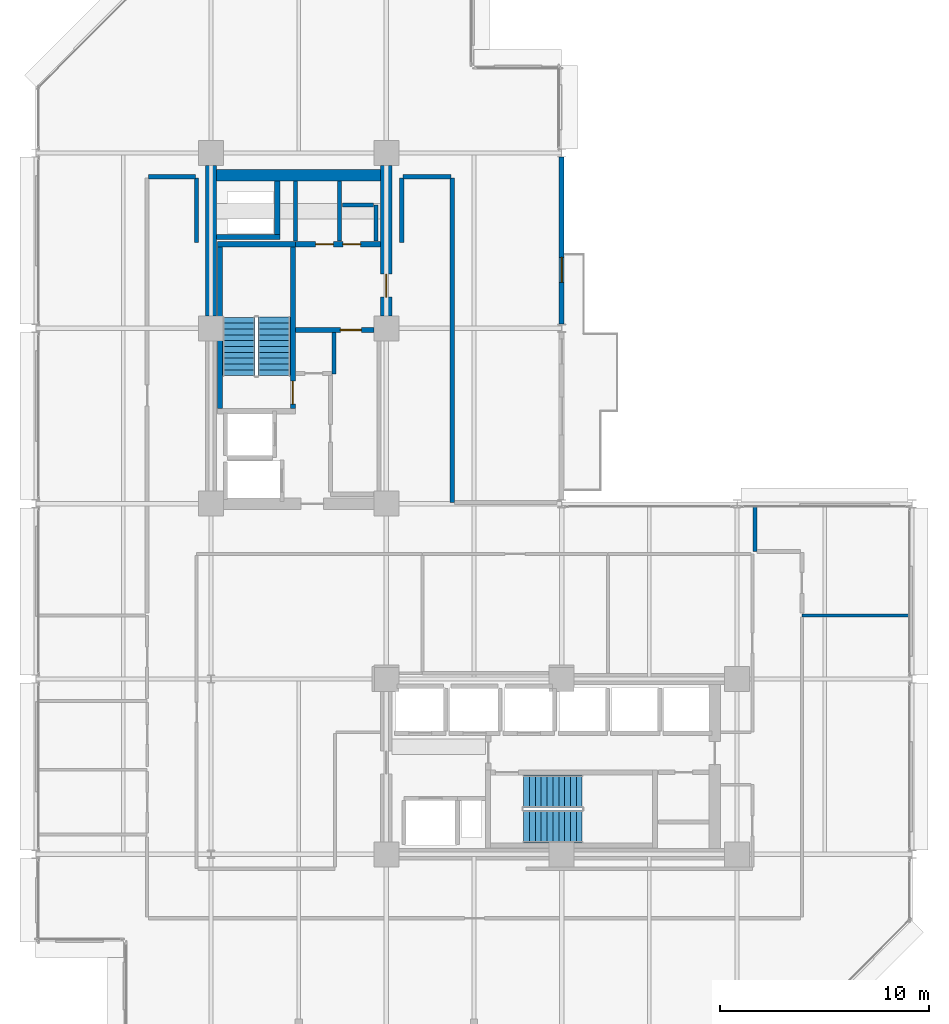
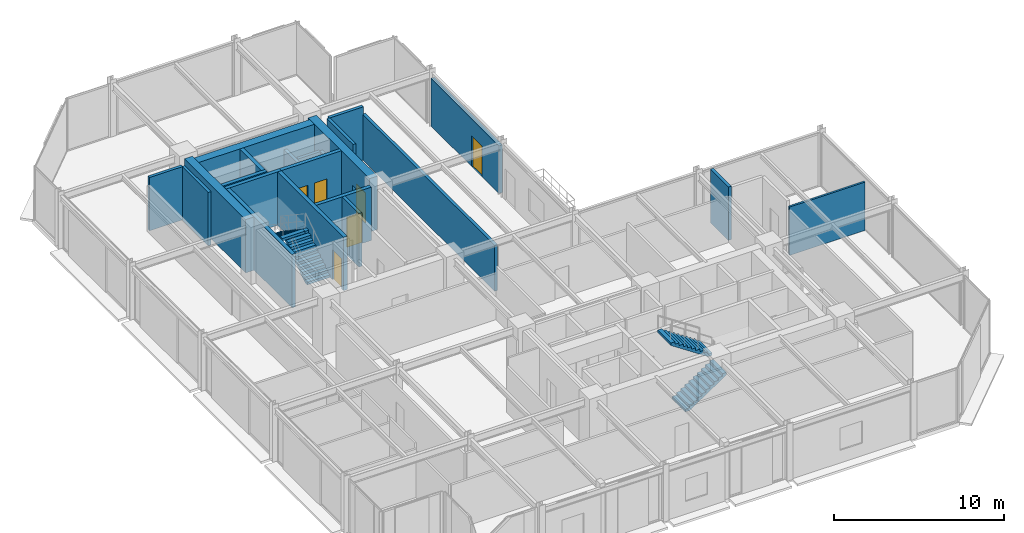
# One storey, part 26 of 30: 23 walls, 6 doors, 4 stair flights, 6 openings, 2 elements without a shape of their own.
"""IFC4 building model written with IfcOpenShell, lengths in metres."""

from ifc_helpers import new_model, si_unit, direction, frame, frame_2d, origin, place, context, subcontext, project, spatial, polyline, rectangle, outline, extrude, material, layer, layer_set, type_object, element, fill, aggregate, save


model = new_model("IFC4")

# Units and contexts
model_context = context("Model", 3, precision=1e-05, world=origin(), true_north=direction((0.0, 1.0)))
body_context = subcontext(model_context, "Body", "Model", "MODEL_VIEW")
ifc_project = project(units=[si_unit("LENGTHUNIT", "METRE"), si_unit("AREAUNIT", "SQUARE_METRE"), si_unit("VOLUMEUNIT", "CUBIC_METRE"), si_unit("PLANEANGLEUNIT", "RADIAN"), si_unit("MASSUNIT", "GRAM", prefix="KILO")], contexts=[model_context])

# Site, building, storey
site_placement = place(None, origin())
site = spatial("IfcSite", under=ifc_project, at=site_placement, CompositionType="ELEMENT")
building_placement = place(site_placement, origin())
building = spatial("IfcBuilding", under=site, at=building_placement, Name="Nerrivon Quay Data Exchange", CompositionType="ELEMENT")
storey_placement = place(building_placement, frame((0.0, 0.0, 141.800048828125)))
storey = spatial("IfcBuildingStorey", under=building, at=storey_placement, Name="L33", CompositionType="ELEMENT", Elevation=141.800048828125)

# Wall, opening, door
ifc_material_1 = material(Name="Architectural terracotta precast concrete N50 (50 MPa)", Category="masonry")
ifc_layer_1 = layer(ifc_material_1, 0.239990234375)
ifc_layer_set_1 = layer_set([ifc_layer_1], Name="Architectural terracotta precast concrete N50 (50 MPa)")
wall_type_1 = type_object("IfcWallType", Name="EW-PREC-240", PredefinedType="STANDARD", material=ifc_layer_set_1)
wall_1_placement = place(storey_placement, frame((25.199951171875, 41.800048828125, 0.0), z_axis=(0.0, 0.0, 1.0), x_axis=(0.0, -1.0, 0.0)))
wall_1 = element("IfcWall", 1, at=wall_1_placement, inside=storey, type_object=wall_type_1, Name="L33 Terrace Host Wall 24", PredefinedType="STANDARD", context=body_context, shape_type="SweptSolid", body=[
    extrude(rectangle(XDim=8.0, YDim=0.239990234375, at=frame_2d((4.0, 0.0))), origin(), (0.0, 0.0, 1.0), 3.421875),
])
opening_1_placement = place(wall_1_placement, frame((4.800048828125, 0.0, 0.0)))
opening_1 = element("IfcOpeningElement", 2, at=opening_1_placement, cuts=wall_1, Name="Opening TD1", PredefinedType="OPENING", context=body_context, shape_type="SweptSolid", body=[
    extrude(rectangle(XDim=1.199951171875, YDim=2.199951171875, at=frame_2d((0.60009765625, 1.10009765625))), frame((0.0, 0.1298828125, 0.0), z_axis=(0.0, -1.0, 0.0), x_axis=(1.0, 0.0, 0.0)), (0.0, 0.0, 1.0), 0.260009765625),
])
ifc_material_2 = material(Name="Double-glazed low-E solar control glass", Category="glass")
door_type_1 = type_object("IfcDoorType", Name="DR-TERR-1200x2200", OperationType="NOTDEFINED", PredefinedType="DOOR", material=ifc_material_2)
door_1_placement = place(opening_1_placement, origin())
door_1 = element("IfcDoor", 3, at=door_1_placement, inside=storey, type_object=door_type_1, Name="L33 Outdoor Terrace Access Door 24", OperationType="SINGLE_SWING_LEFT", OverallHeight=2.199951171875, OverallWidth=1.199951171875, PredefinedType="DOOR", context=body_context, shape_type="SweptSolid", body=[
    extrude(rectangle(XDim=1.199951171875, YDim=2.199951171875, at=frame_2d((0.60009765625, 1.10009765625))), frame((0.0, 0.02490234375, 0.0), z_axis=(0.0, -1.0, 0.0), x_axis=(1.0, 0.0, 0.0)), (0.0, 0.0, 1.0), 0.050048828125),
])
fill(opening_1, door_1)

# Walls
ifc_material_3 = material(Name="Concrete S65 (65 MPa)", Category="concrete")
ifc_layer_2 = layer(ifc_material_3, 0.550048828125)
ifc_layer_set_2 = layer_set([ifc_layer_2], Name="Concrete S65 (65 MPa)")
wall_type_2 = type_object("IfcWallType", Name="WALL-CW-700", PredefinedType="SHEAR", material=ifc_layer_set_2)
wall_2_placement = place(storey_placement, frame((8.39990234375, 34.199951171875, 0.0), z_axis=(0.0, 0.0, 1.0), x_axis=(0.0, 1.0, 0.0)))
element("IfcWall", 4, at=wall_2_placement, inside=storey, type_object=wall_type_2, Name="L33 West Split-Core Shear Wall WCW-W2", PredefinedType="SHEAR", context=body_context, shape_type="SweptSolid", body=[
    extrude(rectangle(XDim=7.199951171875, YDim=0.550048828125, at=frame_2d((3.60009765625, 0.0))), origin(), (0.0, 0.0, 1.0), 3.824951171875),
])
wall_3_placement = place(storey_placement, frame((8.675048828125, 40.925048828125, 0.0), z_axis=(0.0, 0.0, 1.0), x_axis=(1.0, 0.0, 0.0)))
element("IfcWall", 5, at=wall_3_placement, inside=storey, type_object=wall_type_2, Name="L33 West Split-Core Shear Wall WCW-N1", PredefinedType="SHEAR", context=body_context, shape_type="SweptSolid", body=[
    extrude(rectangle(XDim=7.849853515625, YDim=0.550048828125, at=frame_2d((3.9248046875, 0.0))), origin(), (0.0, 0.0, 1.0), 3.824951171875),
])

# Wall, opening, door
wall_4_placement = place(storey_placement, frame((16.800048828125, 34.199951171875, 0.0), z_axis=(0.0, 0.0, 1.0), x_axis=(0.0, 1.0, 0.0)))
wall_4 = element("IfcWall", 6, at=wall_4_placement, inside=storey, type_object=wall_type_2, Name="L33 West Split-Core Shear Wall WCW-E1", PredefinedType="SHEAR", context=body_context, shape_type="SweptSolid", body=[
    extrude(rectangle(XDim=7.199951171875, YDim=0.550048828125, at=frame_2d((3.60009765625, 0.0))), origin(), (0.0, 0.0, 1.0), 3.824951171875),
])
opening_2_placement = place(wall_4_placement, frame((0.89990234375, 0.0, 0.0)))
opening_2 = element("IfcOpeningElement", 7, at=opening_2_placement, cuts=wall_4, Name="Opening FD-120", PredefinedType="OPENING", context=body_context, shape_type="SweptSolid", body=[
    extrude(rectangle(XDim=1.10009765625, YDim=2.14990234375, at=frame_2d((0.550048828125, 1.074951171875))), frame((0.0, 0.284912109375, 0.0), z_axis=(0.0, -1.0, 0.0), x_axis=(1.0, 0.0, 0.0)), (0.0, 0.0, 1.0), 0.570068359375),
])
ifc_material_4 = material(Name="Powder-coated galvanized steel sheet", Category="steel")
door_type_2 = type_object("IfcDoorType", Name="DR-FD120-1100", OperationType="NOTDEFINED", PredefinedType="DOOR", material=ifc_material_4)
door_2_placement = place(opening_2_placement, origin())
door_2 = element("IfcDoor", 8, at=door_2_placement, inside=storey, type_object=door_type_2, Name="L33 West Core Lobby Fire Door", OperationType="SINGLE_SWING_LEFT", OverallHeight=2.14990234375, OverallWidth=1.10009765625, PredefinedType="DOOR", context=body_context, shape_type="SweptSolid", body=[
    extrude(rectangle(XDim=1.10009765625, YDim=2.14990234375, at=frame_2d((0.550048828125, 1.074951171875))), frame((0.0, 0.02490234375, 0.0), z_axis=(0.0, -1.0, 0.0), x_axis=(1.0, 0.0, 0.0)), (0.0, 0.0, 1.0), 0.050048828125),
])
fill(opening_2, door_2)

# Walls
ifc_material_5 = material(Name="Gypsum plasterboard on cold-formed framing", Category="gypsum")
ifc_layer_3 = layer(ifc_material_5, 0.199951171875)
ifc_layer_set_3 = layer_set([ifc_layer_3], Name="Gypsum plasterboard on cold-formed framing")
wall_type_3 = type_object("IfcWallType", Name="WALL-FW-200", PredefinedType="PARTITIONING", material=ifc_layer_set_3)
wall_5_placement = place(storey_placement, frame((14.300048828125, 33.39111328125, 0.0), z_axis=(0.0, 0.0, 1.0), x_axis=(0.0, -1.0, 0.0)))
element("IfcWall", 9, at=wall_5_placement, inside=storey, type_object=wall_type_3, Name="L33 Partition Core Equipment Store", PredefinedType="PARTITIONING", context=body_context, shape_type="SweptSolid", body=[
    extrude(rectangle(XDim=1.9912109375, YDim=0.199951171875, at=frame_2d((0.99560546875, 0.0))), origin(), (0.0, 0.0, 1.0), 3.824951171875),
])
for number, where, z_axis, x_axis, name in (
    (10, (14.550048828125, 37.780029296875, 0.0), (0.0, 0.0, 1.0), (0.0, 1.0, 0.0), "L33 Partition Electrical Switchboard Closet"),
    (11, (12.449951171875, 40.64599609375, 0.0), (0.0, 0.0, 1.0), (0.0, -1.0, 0.0), "L33 Partition Electrical Switchboard Closet"),
):
    element("IfcWall", number, at=place(storey_placement, frame(where, z_axis=z_axis, x_axis=x_axis)), inside=storey, type_object=wall_type_3, Name=name, PredefinedType="PARTITIONING", context=body_context, shape_type="SweptSolid", body=[
        extrude(rectangle(XDim=2.865966796875, YDim=0.199951171875, at=frame_2d((1.43310546875, 0.0))), origin(), (0.0, 0.0, 1.0), 2.724853515625),
    ])
wall_6_placement = place(storey_placement, frame((16.300048828125, 37.780029296875, 0.0), z_axis=(0.0, 0.0, 1.0), x_axis=(0.0, 1.0, 0.0)))
element("IfcWall", 12, at=wall_6_placement, inside=storey, type_object=wall_type_3, Name="L33 Partition Janitor Closet", PredefinedType="PARTITIONING", context=body_context, shape_type="SweptSolid", body=[
    extrude(rectangle(XDim=1.719970703125, YDim=0.199951171875, at=frame_2d((0.85986328125, 0.0))), origin(), (0.0, 0.0, 1.0), 2.724853515625),
])
wall_7_placement = place(storey_placement, frame((16.196044921875, 39.5, 0.0), z_axis=(0.0, 0.0, 1.0), x_axis=(-1.0, 0.0, 0.0)))
element("IfcWall", 13, at=wall_7_placement, inside=storey, type_object=wall_type_3, Name="L33 Partition Janitor Closet", PredefinedType="PARTITIONING", context=body_context, shape_type="SweptSolid", body=[
    extrude(rectangle(XDim=1.506103515625, YDim=0.199951171875, at=frame_2d((0.7529296875, 0.0))), origin(), (0.0, 0.0, 1.0), 2.724853515625),
])
wall_8_placement = place(storey_placement, frame((34.4599609375, 25.031005859375, 0.0), z_axis=(0.0, 0.0, 1.0), x_axis=(0.0, -1.0, 0.0)))
element("IfcWall", 14, at=wall_8_placement, inside=storey, type_object=wall_type_3, Name="L33 Partition Colocation Data Workspace 1", PredefinedType="PARTITIONING", context=body_context, shape_type="SweptSolid", body=[
    extrude(rectangle(XDim=2.12109375, YDim=0.199951171875, at=frame_2d((1.060546875, 0.0))), origin(), (0.0, 0.0, 1.0), 3.824951171875),
])
wall_9_placement = place(storey_placement, frame((5.39990234375, 40.860107421875, 0.0), z_axis=(0.0, 0.0, 1.0), x_axis=(1.0, 0.0, 0.0)))
element("IfcWall", 15, at=wall_9_placement, inside=storey, type_object=wall_type_3, Name="L33 Partition Colocation Data Workspace 1", PredefinedType="PARTITIONING", context=body_context, shape_type="SweptSolid", body=[
    extrude(rectangle(XDim=2.25, YDim=0.199951171875, at=frame_2d((1.125, 0.0))), origin(), (0.0, 0.0, 1.0), 3.824951171875),
])
for number, where, z_axis, x_axis, name in (
    (16, (7.7099609375, 40.800048828125, 0.0), (0.0, 0.0, 1.0), (0.0, -1.0, 0.0), "L33 Partition Colocation Data Workspace 1"),
    (17, (17.5400390625, 37.7099609375, 0.0), (0.0, 0.0, 1.0), (0.0, 1.0, 0.0), "L33 Partition Colocation Data Workspace 1"),
):
    element("IfcWall", number, at=place(storey_placement, frame(where, z_axis=z_axis, x_axis=x_axis)), inside=storey, type_object=wall_type_3, Name=name, PredefinedType="PARTITIONING", context=body_context, shape_type="SweptSolid", body=[
        extrude(rectangle(XDim=3.090087890625, YDim=0.199951171875, at=frame_2d((1.544921875, 0.0))), origin(), (0.0, 0.0, 1.0), 3.824951171875),
    ])
wall_10_placement = place(storey_placement, frame((17.60009765625, 40.860107421875, 0.0), z_axis=(0.0, 0.0, 1.0), x_axis=(1.0, 0.0, 0.0)))
element("IfcWall", 18, at=wall_10_placement, inside=storey, type_object=wall_type_3, Name="L33 Partition Colocation Data Workspace 1", PredefinedType="PARTITIONING", context=body_context, shape_type="SweptSolid", body=[
    extrude(rectangle(XDim=2.2998046875, YDim=0.199951171875, at=frame_2d((1.14990234375, 0.0))), origin(), (0.0, 0.0, 1.0), 3.824951171875),
])
wall_11_placement = place(storey_placement, frame((19.9599609375, 40.800048828125, 0.0), z_axis=(0.0, 0.0, 1.0), x_axis=(0.0, -1.0, 0.0)))
element("IfcWall", 19, at=wall_11_placement, inside=storey, type_object=wall_type_3, Name="L33 Partition Colocation Data Workspace 1", PredefinedType="PARTITIONING", context=body_context, shape_type="SweptSolid", body=[
    extrude(rectangle(XDim=15.5400390625, YDim=0.199951171875, at=frame_2d((7.77001953125, 0.0))), origin(), (0.0, 0.0, 1.0), 3.2919921875),
])
ifc_layer_4 = layer(ifc_material_5, 0.135009765625)
ifc_layer_set_4 = layer_set([ifc_layer_4], Name="Gypsum plasterboard on cold-formed framing")
wall_type_4 = type_object("IfcWallType", Name="WALL-PT-135", PredefinedType="PARTITIONING", material=ifc_layer_set_4)
wall_12_placement = place(storey_placement, frame((41.8310546875, 19.84326171875, 0.0), z_axis=(0.0, 0.0, 1.0), x_axis=(-1.0, 0.0, 0.0)))
element("IfcWall", 20, at=wall_12_placement, inside=storey, type_object=wall_type_4, Name="L33 Partition Technical Library", PredefinedType="PARTITIONING", context=body_context, shape_type="SweptSolid", body=[
    extrude(rectangle(XDim=5.12109375, YDim=0.135009765625, at=frame_2d((2.560546875, 0.0))), origin(), (0.0, 0.0, 1.0), 3.468994140625),
])
ifc_material_6 = material(Name="Concrete N50 (50 MPa)", Category="concrete")
ifc_layer_5 = layer(ifc_material_6, 0.25)
ifc_layer_set_5 = layer_set([ifc_layer_5], Name="Concrete N50 (50 MPa)")
wall_type_5 = type_object("IfcWallType", Name="WALL-SW-250", PredefinedType="SHEAR", material=ifc_layer_set_5)
wall_13_placement = place(storey_placement, frame((12.449951171875, 37.625, 0.0), z_axis=(0.0, 0.0, 1.0), x_axis=(-1.0, 0.0, 0.0)))
element("IfcWall", 21, at=wall_13_placement, inside=storey, type_object=wall_type_5, Name="L33 ST01 Structural Stair Core Wall FAR", PredefinedType="SHEAR", context=body_context, shape_type="SweptSolid", body=[
    extrude(rectangle(XDim=3.75, YDim=0.25, at=frame_2d((1.875, 0.0))), origin(), (0.0, 0.0, 1.0), 3.824951171875),
])

# Wall, opening, door
wall_14_placement = place(storey_placement, frame((12.324951171875, 29.75, 0.0), z_axis=(0.0, 0.0, 1.0), x_axis=(0.0, 1.0, 0.0)))
wall_14 = element("IfcWall", 22, at=wall_14_placement, inside=storey, type_object=wall_type_5, Name="L33 ST01 Structural Stair Core Wall LEFT", PredefinedType="SHEAR", context=body_context, shape_type="SweptSolid", body=[
    extrude(rectangle(XDim=7.75, YDim=0.25, at=frame_2d((3.875, 0.0))), origin(), (0.0, 0.0, 1.0), 3.824951171875),
])
opening_3_placement = place(wall_14_placement, frame((0.219970703125, 0.0, 0.0)))
opening_3 = element("IfcOpeningElement", 23, at=opening_3_placement, cuts=wall_14, Name="Opening FD-120", PredefinedType="OPENING", context=body_context, shape_type="SweptSolid", body=[
    extrude(rectangle(XDim=1.10009765625, YDim=2.14990234375, at=frame_2d((0.550048828125, 1.074951171875))), frame((0.0, 0.135009765625, 0.0), z_axis=(0.0, -1.0, 0.0), x_axis=(1.0, 0.0, 0.0)), (0.0, 0.0, 1.0), 0.27001953125),
])
door_3_placement = place(opening_3_placement, origin())
door_3 = element("IfcDoor", 24, at=door_3_placement, inside=storey, type_object=door_type_2, Name="L33 Protected Stair Door ST01", OperationType="SINGLE_SWING_LEFT", OverallHeight=2.14990234375, OverallWidth=1.10009765625, PredefinedType="DOOR", context=body_context, shape_type="SweptSolid", body=[
    extrude(rectangle(XDim=1.10009765625, YDim=2.14990234375, at=frame_2d((0.550048828125, 1.074951171875))), frame((0.0, 0.02490234375, 0.0), z_axis=(0.0, -1.0, 0.0), x_axis=(1.0, 0.0, 0.0)), (0.0, 0.0, 1.0), 0.050048828125),
])
fill(opening_3, door_3)

# Walls
wall_15_placement = place(storey_placement, frame((8.824951171875, 29.75, 0.0), z_axis=(0.0, 0.0, 1.0), x_axis=(0.0, 1.0, 0.0)))
element("IfcWall", 25, at=wall_15_placement, inside=storey, type_object=wall_type_5, Name="L33 ST01 Structural Stair Core Wall RIGHT", PredefinedType="SHEAR", context=body_context, shape_type="SweptSolid", body=[
    extrude(rectangle(XDim=7.75, YDim=0.25, at=frame_2d((3.875, 0.0))), origin(), (0.0, 0.0, 1.0), 3.824951171875),
])
wall_16_placement = place(storey_placement, frame((8.675048828125, 37.97509765625, 0.0), z_axis=(0.0, 0.0, 1.0), x_axis=(1.0, 0.0, 0.0)))
element("IfcWall", 26, at=wall_16_placement, inside=storey, type_object=wall_type_5, Name="L33 West Core MEP Riser Shaft Wall S", PredefinedType="SHEAR", context=body_context, shape_type="SweptSolid", body=[
    extrude(rectangle(XDim=3.02490234375, YDim=0.25, at=frame_2d((1.512451171875, 0.0))), origin(), (0.0, 0.0, 1.0), 3.824951171875),
])
wall_17_placement = place(storey_placement, frame((11.574951171875, 38.10009765625, 0.0), z_axis=(0.0, 0.0, 1.0), x_axis=(0.0, 1.0, 0.0)))
element("IfcWall", 27, at=wall_17_placement, inside=storey, type_object=wall_type_5, Name="L33 West Core MEP Riser Shaft Wall E", PredefinedType="SHEAR", context=body_context, shape_type="SweptSolid", body=[
    extrude(rectangle(XDim=2.5498046875, YDim=0.25, at=frame_2d((1.27490234375, 0.0))), origin(), (0.0, 0.0, 1.0), 3.824951171875),
])

# Wall, opening, door
wall_18_placement = place(storey_placement, frame((12.449951171875, 33.52001953125, 0.0), z_axis=(0.0, 0.0, 1.0), x_axis=(1.0, 0.0, 0.0)))
wall_18 = element("IfcWall", 28, at=wall_18_placement, inside=storey, type_object=wall_type_5, Name="L33 West Lobby Smoke-Stop Wall", PredefinedType="SHEAR", context=body_context, shape_type="SweptSolid", body=[
    extrude(rectangle(XDim=3.75, YDim=0.25, at=frame_2d((1.875, 0.0))), origin(), (0.0, 0.0, 1.0), 3.824951171875),
])
opening_4_placement = place(wall_18_placement, frame((2.14990234375, 0.0, 0.0)))
opening_4 = element("IfcOpeningElement", 29, at=opening_4_placement, cuts=wall_18, Name="Opening FD-60", PredefinedType="OPENING", context=body_context, shape_type="SweptSolid", body=[
    extrude(rectangle(XDim=1.0, YDim=2.14990234375, at=frame_2d((0.5, 1.074951171875))), frame((0.0, 0.135009765625, 0.0), z_axis=(0.0, -1.0, 0.0), x_axis=(1.0, 0.0, 0.0)), (0.0, 0.0, 1.0), 0.27001953125),
])
ifc_material_7 = material(Name="Engineered hardwood timber", Category="wood")
door_type_3 = type_object("IfcDoorType", Name="DR-FD60-1000", OperationType="NOTDEFINED", PredefinedType="DOOR", material=ifc_material_7)
door_4_placement = place(opening_4_placement, origin())
door_4 = element("IfcDoor", 30, at=door_4_placement, inside=storey, type_object=door_type_3, Name="L33 West Firefighting Lobby Fire Door", OperationType="SINGLE_SWING_LEFT", OverallHeight=2.14990234375, OverallWidth=1.0, PredefinedType="DOOR", context=body_context, shape_type="SweptSolid", body=[
    extrude(rectangle(XDim=1.0, YDim=2.14990234375, at=frame_2d((0.5, 1.074951171875))), frame((0.0, 0.02490234375, 0.0), z_axis=(0.0, -1.0, 0.0), x_axis=(1.0, 0.0, 0.0)), (0.0, 0.0, 1.0), 0.050048828125),
])
fill(opening_4, door_4)

# Wall, openings, doors
wall_19_placement = place(storey_placement, frame((12.449951171875, 37.625, 0.0), z_axis=(0.0, 0.0, 1.0), x_axis=(1.0, 0.0, 0.0)))
wall_19 = element("IfcWall", 31, at=wall_19_placement, inside=storey, type_object=wall_type_5, Name="L33 West Firefighting Lobby Wall", PredefinedType="SHEAR", context=body_context, shape_type="SweptSolid", body=[
    extrude(rectangle(XDim=4.074951171875, YDim=0.25, at=frame_2d((2.03759765625, 0.0))), origin(), (0.0, 0.0, 1.0), 3.824951171875),
])
opening_5_placement = place(wall_19_placement, frame((0.96044921875, 0.0, 0.0)))
opening_5 = element("IfcOpeningElement", 32, at=opening_5_placement, cuts=wall_19, Name="Opening FD-60S", PredefinedType="OPENING", context=body_context, shape_type="SweptSolid", body=[
    extrude(rectangle(XDim=0.85009765625, YDim=2.14990234375, at=frame_2d((0.425048828125, 1.074951171875))), frame((0.0, 0.135009765625, 0.0), z_axis=(0.0, -1.0, 0.0), x_axis=(1.0, 0.0, 0.0)), (0.0, 0.0, 1.0), 0.27001953125),
])
opening_6_placement = place(wall_19_placement, frame((2.264404296875, 0.0, 0.0)))
opening_6 = element("IfcOpeningElement", 33, at=opening_6_placement, cuts=wall_19, Name="Opening FD-60S", PredefinedType="OPENING", context=body_context, shape_type="SweptSolid", body=[
    extrude(rectangle(XDim=0.85009765625, YDim=2.14990234375, at=frame_2d((0.425048828125, 1.074951171875))), frame((0.0, 0.135009765625, 0.0), z_axis=(0.0, -1.0, 0.0), x_axis=(1.0, 0.0, 0.0)), (0.0, 0.0, 1.0), 0.27001953125),
])
door_type_4 = type_object("IfcDoorType", Name="DR-FD60-850", OperationType="NOTDEFINED", PredefinedType="DOOR", material=ifc_material_7)
door_5_placement = place(opening_5_placement, origin())
door_5 = element("IfcDoor", 34, at=door_5_placement, inside=storey, type_object=door_type_4, Name="L33 Door Electrical Switchboard Closet", OperationType="SINGLE_SWING_LEFT", OverallHeight=2.14990234375, OverallWidth=0.85009765625, PredefinedType="DOOR", context=body_context, shape_type="SweptSolid", body=[
    extrude(rectangle(XDim=0.85009765625, YDim=2.14990234375, at=frame_2d((0.425048828125, 1.074951171875))), frame((0.0, 0.02490234375, 0.0), z_axis=(0.0, -1.0, 0.0), x_axis=(1.0, 0.0, 0.0)), (0.0, 0.0, 1.0), 0.050048828125),
])
fill(opening_5, door_5)
door_6_placement = place(opening_6_placement, origin())
door_6 = element("IfcDoor", 35, at=door_6_placement, inside=storey, type_object=door_type_4, Name="L33 Door Janitor Closet", OperationType="SINGLE_SWING_RIGHT", OverallHeight=2.14990234375, OverallWidth=0.85009765625, PredefinedType="DOOR", context=body_context, shape_type="SweptSolid", body=[
    extrude(rectangle(XDim=0.85009765625, YDim=2.14990234375, at=frame_2d((0.425048828125, 1.074951171875))), frame((0.0, 0.02490234375, 0.0), z_axis=(0.0, -1.0, 0.0), x_axis=(1.0, 0.0, 0.0)), (0.0, 0.0, 1.0), 0.050048828125),
])
fill(opening_6, door_6)

# Stair, stair flights
stair_type = type_object("IfcStairType", Name="STAIR-DOG-41", PredefinedType="HALF_TURN_STAIR", material=ifc_material_6)
stair_1_placement = place(storey_placement, origin())
stair_1 = element("IfcStair", 36, at=stair_1_placement, inside=storey, type_object=stair_type, Name="L33 West Core Fire Stair ST01", PredefinedType="HALF_TURN_STAIR")
stair_flight_type = type_object("IfcStairFlightType", Name="FLIGHT-DOG-41", PredefinedType="STRAIGHT", material=ifc_material_6)
stair_flight_1_placement = place(storey_placement, frame((11.425048828125, 31.330078125, 0.0), z_axis=(0.0, 0.0, 1.0), x_axis=(0.0, 1.0, 0.0)))
stair_flight_1 = element("IfcStairFlight", 37, at=stair_flight_1_placement, type_object=stair_flight_type, Name="ST01 flight 1", NumberOfRisers=11, NumberOfTreads=10, PredefinedType="STRAIGHT", RiserHeight=0.186363636, TreadLength=0.28, context=body_context, shape_type="SweptSolid", body=[
    extrude(outline(polyline([(0.0, 0.0), (0.0, 0.186279296875), (0.280029296875, 0.186279296875), (0.280029296875, 0.372802734375), (0.56005859375, 0.372802734375), (0.56005859375, 0.55908203125), (0.840087890625, 0.55908203125), (0.840087890625, 0.745361328125), (1.1201171875, 0.745361328125), (1.1201171875, 0.931884765625), (1.39990234375, 0.931884765625), (1.39990234375, 1.1181640625), (1.679931640625, 1.1181640625), (1.679931640625, 1.304443359375), (1.9599609375, 1.304443359375), (1.9599609375, 1.490966796875), (2.239990234375, 1.490966796875), (2.239990234375, 1.67724609375), (2.52001953125, 1.67724609375), (2.52001953125, 1.863525390625), (2.800048828125, 1.863525390625), (2.800048828125, 2.050048828125), (2.800048828125, 1.68359375), (0.2705078125, 0.0), (0.0, 0.0)])), frame((0.0, 0.77490234375, 0.0), z_axis=(0.0, -1.0, 0.0), x_axis=(1.0, 0.0, 0.0)), (0.0, 0.0, 1.0), 1.550048828125),
])
stair_flight_2_placement = place(storey_placement, frame((9.72509765625, 34.1298828125, 2.050048828125), z_axis=(0.0, 0.0, 1.0), x_axis=(0.0, -1.0, 0.0)))
stair_flight_2 = element("IfcStairFlight", 38, at=stair_flight_2_placement, type_object=stair_flight_type, Name="ST01 flight 2", NumberOfRisers=11, NumberOfTreads=10, PredefinedType="STRAIGHT", RiserHeight=0.186363636, TreadLength=0.28, context=body_context, shape_type="SweptSolid", body=[
    extrude(outline(polyline([(0.0, 0.0), (0.0, 0.186279296875), (0.280029296875, 0.186279296875), (0.280029296875, 0.372802734375), (0.56005859375, 0.372802734375), (0.56005859375, 0.55908203125), (0.840087890625, 0.55908203125), (0.840087890625, 0.745361328125), (1.1201171875, 0.745361328125), (1.1201171875, 0.931884765625), (1.39990234375, 0.931884765625), (1.39990234375, 1.1181640625), (1.679931640625, 1.1181640625), (1.679931640625, 1.304443359375), (1.9599609375, 1.304443359375), (1.9599609375, 1.490966796875), (2.239990234375, 1.490966796875), (2.239990234375, 1.67724609375), (2.52001953125, 1.67724609375), (2.52001953125, 1.863525390625), (2.800048828125, 1.863525390625), (2.800048828125, 2.050048828125), (2.800048828125, 1.68359375), (0.2705078125, 0.0), (0.0, 0.0)])), frame((0.0, 0.77490234375, 0.0), z_axis=(0.0, -1.0, 0.0), x_axis=(1.0, 0.0, 0.0)), (0.0, 0.0, 1.0), 1.550048828125),
])
aggregate(stair_1, [stair_flight_1, stair_flight_2])

stair_2_placement = place(storey_placement, origin())
stair_2 = element("IfcStair", 39, at=stair_2_placement, inside=storey, type_object=stair_type, Name="L33 East Core Fire Stair ST02", PredefinedType="HALF_TURN_STAIR")
stair_flight_3_placement = place(storey_placement, frame((23.3798828125, 9.72509765625, 0.0), z_axis=(0.0, 0.0, 1.0), x_axis=(1.0, 0.0, 0.0)))
stair_flight_3 = element("IfcStairFlight", 40, at=stair_flight_3_placement, type_object=stair_flight_type, Name="ST02 flight 1", NumberOfRisers=11, NumberOfTreads=10, PredefinedType="STRAIGHT", RiserHeight=0.186363636, TreadLength=0.28, context=body_context, shape_type="SweptSolid", body=[
    extrude(outline(polyline([(0.0, 0.0), (0.0, 0.186279296875), (0.280029296875, 0.186279296875), (0.280029296875, 0.372802734375), (0.56005859375, 0.372802734375), (0.56005859375, 0.55908203125), (0.840087890625, 0.55908203125), (0.840087890625, 0.745361328125), (1.1201171875, 0.745361328125), (1.1201171875, 0.931884765625), (1.39990234375, 0.931884765625), (1.39990234375, 1.1181640625), (1.679931640625, 1.1181640625), (1.679931640625, 1.304443359375), (1.9599609375, 1.304443359375), (1.9599609375, 1.490966796875), (2.239990234375, 1.490966796875), (2.239990234375, 1.67724609375), (2.52001953125, 1.67724609375), (2.52001953125, 1.863525390625), (2.800048828125, 1.863525390625), (2.800048828125, 2.050048828125), (2.800048828125, 1.68359375), (0.2705078125, 0.0), (0.0, 0.0)])), frame((0.0, 0.77490234375, 0.0), z_axis=(0.0, -1.0, 0.0), x_axis=(1.0, 0.0, 0.0)), (0.0, 0.0, 1.0), 1.550048828125),
])
stair_flight_4_placement = place(storey_placement, frame((26.179931640625, 11.425048828125, 2.050048828125), z_axis=(0.0, 0.0, 1.0), x_axis=(-1.0, 0.0, 0.0)))
stair_flight_4 = element("IfcStairFlight", 41, at=stair_flight_4_placement, type_object=stair_flight_type, Name="ST02 flight 2", NumberOfRisers=11, NumberOfTreads=10, PredefinedType="STRAIGHT", RiserHeight=0.186363636, TreadLength=0.28, context=body_context, shape_type="SweptSolid", body=[
    extrude(outline(polyline([(0.0, 0.0), (0.0, 0.186279296875), (0.280029296875, 0.186279296875), (0.280029296875, 0.372802734375), (0.56005859375, 0.372802734375), (0.56005859375, 0.55908203125), (0.840087890625, 0.55908203125), (0.840087890625, 0.745361328125), (1.1201171875, 0.745361328125), (1.1201171875, 0.931884765625), (1.39990234375, 0.931884765625), (1.39990234375, 1.1181640625), (1.679931640625, 1.1181640625), (1.679931640625, 1.304443359375), (1.9599609375, 1.304443359375), (1.9599609375, 1.490966796875), (2.239990234375, 1.490966796875), (2.239990234375, 1.67724609375), (2.52001953125, 1.67724609375), (2.52001953125, 1.863525390625), (2.800048828125, 1.863525390625), (2.800048828125, 2.050048828125), (2.800048828125, 1.68359375), (0.2705078125, 0.0), (0.0, 0.0)])), frame((0.0, 0.77490234375, 0.0), z_axis=(0.0, -1.0, 0.0), x_axis=(1.0, 0.0, 0.0)), (0.0, 0.0, 1.0), 1.550048828125),
])
aggregate(stair_2, [stair_flight_3, stair_flight_4])

save(model, "model.ifc")
